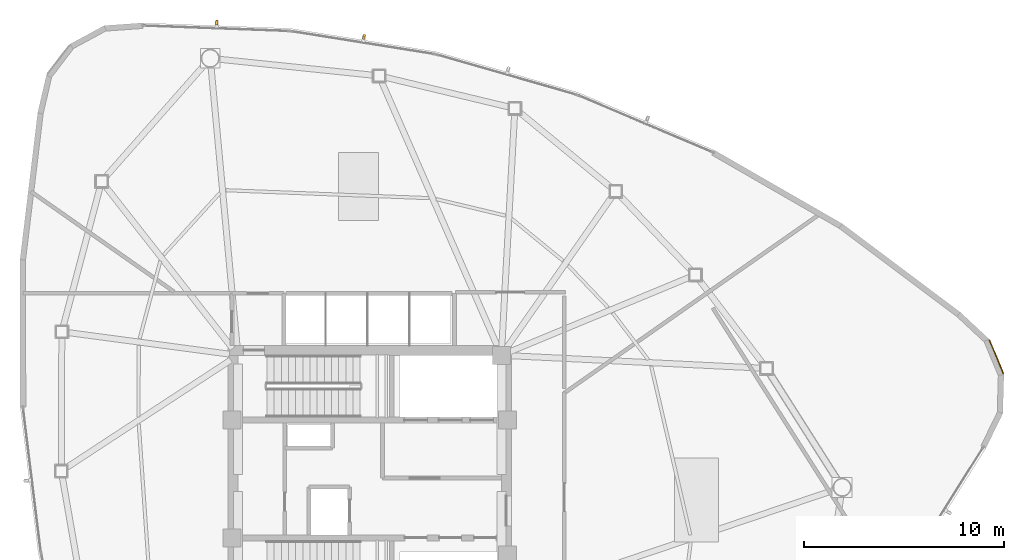
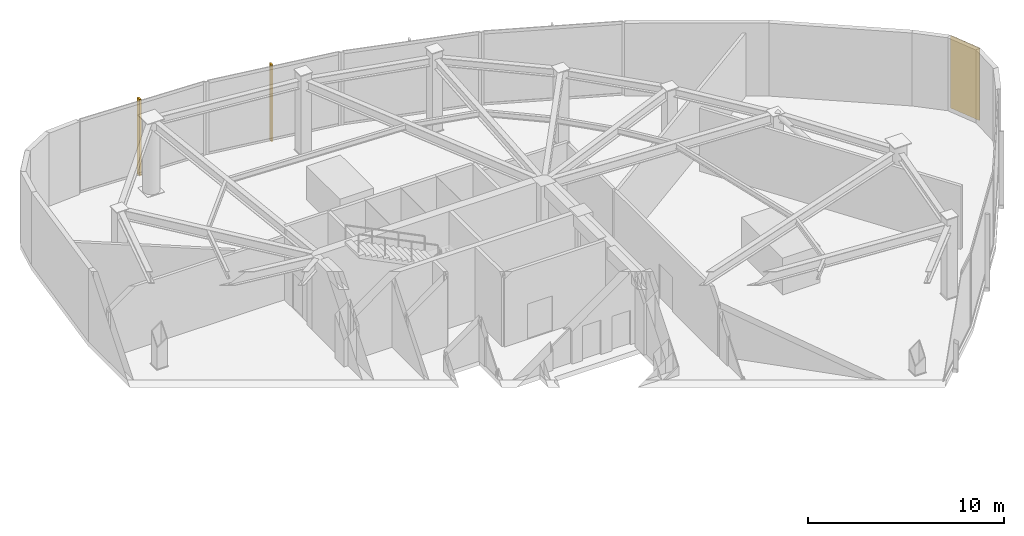
# One storey, part 16 of 17: 2 shading devices, 1 covering.
"""IFC4 building model written with IfcOpenShell, lengths in metres."""

from ifc_helpers import new_model, si_unit, direction, frame, origin, origin_2d, place, context, subcontext, project, spatial, rectangle, extrude, source, transform, mapped, material, layer, layer_set, type_object, type_shapes, element, save


model = new_model("IFC4")

# Units and contexts
model_context = context("Model", 3, precision=1e-05, world=origin(), true_north=direction((0.0, 1.0)))
body_context = subcontext(model_context, "Body", "Model", "MODEL_VIEW")
ifc_project = project(units=[si_unit("LENGTHUNIT", "METRE"), si_unit("AREAUNIT", "SQUARE_METRE"), si_unit("VOLUMEUNIT", "CUBIC_METRE"), si_unit("PLANEANGLEUNIT", "RADIAN"), si_unit("MASSUNIT", "GRAM", prefix="KILO")], contexts=[model_context])

# Site, building, storey
site_placement = place(None, origin())
site = spatial("IfcSite", under=ifc_project, at=site_placement, CompositionType="ELEMENT")
building_placement = place(site_placement, origin())
building = spatial("IfcBuilding", under=site, at=building_placement, Name="Tavelor Broadcast Tower", CompositionType="ELEMENT")
storey_placement = place(building_placement, frame((0.0, 0.0, 204.14990234375)))
storey = spatial("IfcBuildingStorey", under=building, at=storey_placement, Name="L49", CompositionType="ELEMENT", Elevation=204.14990234375)

# Covering
ifc_material_1 = material(Name="Copper-Bronze Anodized Aluminium", Category="aluminium")
ifc_layer = layer(ifc_material_1, 0.050048828125)
ifc_layer_set = layer_set([ifc_layer], Name="Copper-Bronze Anodized Aluminium")
covering_type = type_object("IfcCoveringType", Name="Champagne-Bronze Corner Pier Metal Cladding 50 mm", PredefinedType="CLADDING", material=ifc_layer_set)
covering_placement = place(storey_placement, frame((81.408203125, 51.120849609375, 0.02001953125), z_axis=(0.0, 0.0, 1.0), x_axis=(-0.385100829128, 0.922874504689, 0.0)))
element("IfcCovering", 1, at=covering_placement, inside=storey, type_object=covering_type, Name="L49 Champagne-Bronze Corner Cladding 23", PredefinedType="CLADDING", context=body_context, shape_type="SweptSolid", body=[
    extrude(rectangle(XDim=1.844970703125, YDim=0.050048828125, at=origin_2d()), origin(), (0.0, 0.0, 1.0), 4.510009765625),
])

# Shading devices
ifc_material_2 = material(Name="Kiln-Fired Glazed Terracotta", Category="masonry")
shading_device_type = type_object("IfcShadingDeviceType", Name="Extruded Terracotta Baguette Sun-Screen 110x240", PredefinedType="JALOUSIE", material=ifc_material_2)
shared_shape = source(origin(), body_context, "Body", "SweptSolid", [
    extrude(rectangle(XDim=0.110107421875, YDim=0.239990234375, at=origin_2d()), origin(), (0.0, 0.0, 1.0), 4.7900390625),
])
type_shapes(shading_device_type, [shared_shape])
for number, where, z_axis, x_axis, name in (
    (2, (49.714599609375, 67.156005859375, -0.260009765625), (0.0, 0.0, 1.0), (-0.987496482765, 0.157641036938, 0.0), "L49 Terracotta Baguette Fin 527"),
    (3, (42.34130859375, 67.87890625, -0.260009765625), (0.0, 0.0, 1.0), (-0.999315541829, 0.036992537883, 0.0), "L49 Terracotta Baguette Fin 528"),
):
    element("IfcShadingDevice", number, at=place(storey_placement, frame(where, z_axis=z_axis, x_axis=x_axis)), inside=storey, type_object=shading_device_type, Name=name, PredefinedType="JALOUSIE", context=body_context, shape_type="MappedRepresentation", body=[
        mapped(shared_shape, transform((0.0, 0.0, 0.0), scale=1.0)),
    ])

save(model, "model.ifc")
